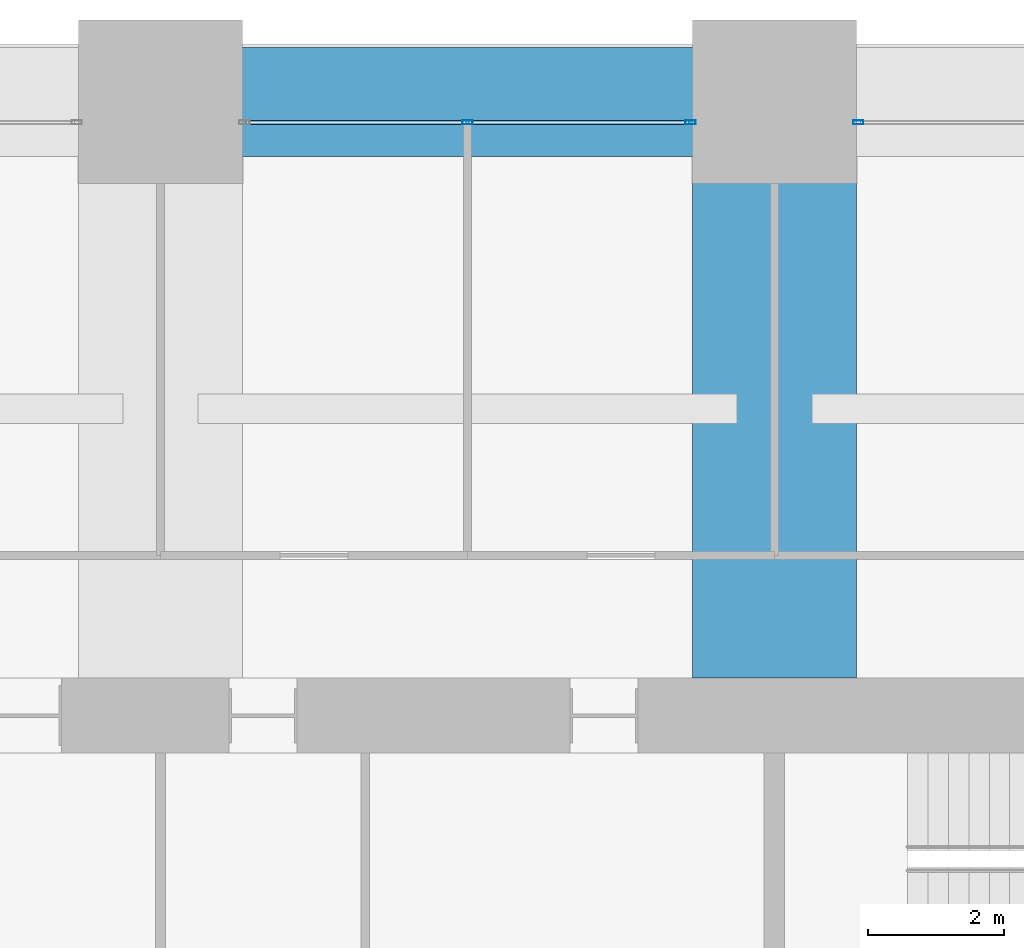
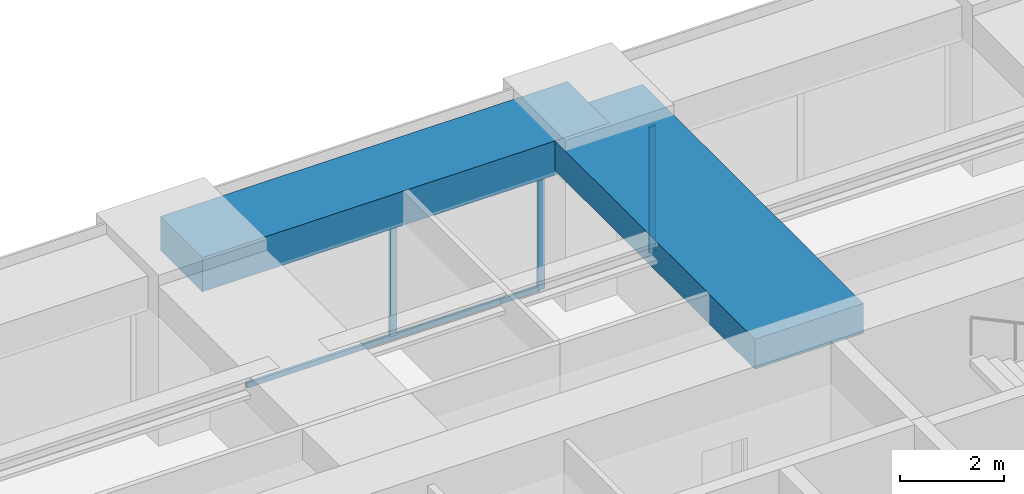
# One storey, part 30 of 43: 4 members, 2 beams, 2 elements without a shape of their own.
"""IFC4 building model written with IfcOpenShell, lengths in metres."""

from ifc_helpers import new_model, si_unit, direction, frame, origin, origin_2d, place, context, subcontext, project, spatial, rectangle, hollow_rectangle, extrude, material, material_profile, profile_set, type_object, element, aggregate, save


model = new_model("IFC4")

# Units and contexts
model_context = context("Model", 3, precision=1e-05, world=origin(), true_north=direction((0.0, 1.0)))
body_context = subcontext(model_context, "Body", "Model", "MODEL_VIEW")
ifc_project = project(units=[si_unit("LENGTHUNIT", "METRE"), si_unit("AREAUNIT", "SQUARE_METRE"), si_unit("VOLUMEUNIT", "CUBIC_METRE"), si_unit("PLANEANGLEUNIT", "RADIAN"), si_unit("MASSUNIT", "GRAM", prefix="KILO")], contexts=[model_context])

# Site, building, storey
site_placement = place(None, origin())
site = spatial("IfcSite", under=ifc_project, at=site_placement, CompositionType="ELEMENT")
building_placement = place(site_placement, origin())
building = spatial("IfcBuilding", under=site, at=building_placement, Name="Zorevar Civic Tower", CompositionType="ELEMENT")
storey_placement = place(building_placement, frame((0.0, 0.0, 145.0)))
storey = spatial("IfcBuildingStorey", under=building, at=storey_placement, Name="L35", CompositionType="ELEMENT", Elevation=145.0)

# Beam
ifc_material_1 = material(Name="Concrete C50/60", Category="concrete")
ifc_material_profile_1 = material_profile(ifc_material_1, rectangle(XDim=2.39990234375, YDim=0.699951171875, at=origin_2d()), Name="RC 2400x700")
ifc_profile_set_1 = profile_set([ifc_material_profile_1], Name="Concrete C50/60")
beam_type_1 = type_object("IfcBeamType", Name="Beam RC 2400x700", PredefinedType="BEAM", material=ifc_profile_set_1)
beam_1_placement = place(storey_placement, frame((36.0, 36.550048828125, 3.39990234375), z_axis=(0.0, 1.0, 0.0), x_axis=(-1.0, 0.0, 0.0)))
element("IfcBeam", 1, at=beam_1_placement, inside=storey, type_object=beam_type_1, Name="Girder L36", PredefinedType="BEAM", context=body_context, shape_type="SweptSolid", body=[
    extrude(rectangle(XDim=2.39990234375, YDim=0.699951171875, at=origin_2d()), origin(), (0.0, 0.0, 1.0), 8.449951171875),
])

# Curtain wall, members
ifc_material_2 = material(Name="Dark grey solar-control glass in black aluminium frame", Category="aluminium")
curtain_wall_type = type_object("IfcCurtainWallType", Name="Curtain wall CW3 mid zone", PredefinedType="NOTDEFINED", material=ifc_material_2)
curtain_wall_1_placement = place(storey_placement, origin())
curtain_wall_1 = element("IfcCurtainWall", 2, at=curtain_wall_1_placement, inside=storey, type_object=curtain_wall_type, Name="CW3 L35", PredefinedType="NOTDEFINED")
ifc_material_3 = material(Name="Aluminium, black anodised", Category="aluminium")
ifc_material_profile_2 = material_profile(ifc_material_3, hollow_rectangle(XDim=0.06005859375, YDim=0.14990234375, WallThickness=0.00390625, at=origin_2d()), Name="AL 150x60x4")
ifc_profile_set_2 = profile_set([ifc_material_profile_2], Name="Aluminium, black anodised")
member_type_1 = type_object("IfcMemberType", Name="CW3 mullion AL 150x60x4", PredefinedType="MULLION", material=ifc_profile_set_2)
member_1_placement = place(storey_placement, frame((31.5, 44.699951171875, 0.06005859375), z_axis=(0.0, 0.0, 1.0), x_axis=(0.0, 1.0, 0.0)))
member_1 = element("IfcMember", 3, at=member_1_placement, type_object=member_type_1, Name="CW3 mullion 2", PredefinedType="MULLION", context=body_context, shape_type="SweptSolid", body=[
    extrude(hollow_rectangle(XDim=0.06005859375, YDim=0.14990234375, WallThickness=0.00390625, at=origin_2d()), origin(), (0.0, 0.0, 1.0), 2.889892578125),
])
member_2_placement = place(storey_placement, frame((34.77001953125, 44.699951171875, 0.0), z_axis=(0.0, 0.0, 1.0), x_axis=(0.0, 1.0, 0.0)))
member_2 = element("IfcMember", 4, at=member_2_placement, type_object=member_type_1, Name="CW3 mullion 3", PredefinedType="MULLION", context=body_context, shape_type="SweptSolid", body=[
    extrude(hollow_rectangle(XDim=0.06005859375, YDim=0.14990234375, WallThickness=0.00390625, at=origin_2d()), origin(), (0.0, 0.0, 1.0), 2.949951171875),
])

# Curtain wall, member
curtain_wall_2_placement = place(storey_placement, origin())
curtain_wall_2 = element("IfcCurtainWall", 5, at=curtain_wall_2_placement, inside=storey, type_object=curtain_wall_type, Name="CW3 L35", PredefinedType="NOTDEFINED")
member_3_placement = place(storey_placement, frame((37.22998046875, 44.699951171875, 0.0), z_axis=(0.0, 0.0, 1.0), x_axis=(0.0, 1.0, 0.0)))
member_3 = element("IfcMember", 6, at=member_3_placement, type_object=member_type_1, Name="CW3 mullion 1", PredefinedType="MULLION", context=body_context, shape_type="SweptSolid", body=[
    extrude(hollow_rectangle(XDim=0.06005859375, YDim=0.14990234375, WallThickness=0.00390625, at=origin_2d()), origin(), (0.0, 0.0, 1.0), 2.949951171875),
])
aggregate(curtain_wall_2, [member_3])

# Member
ifc_material_4 = material(Name="Aluminium, black anodised", Category="aluminium")
ifc_material_profile_3 = material_profile(ifc_material_4, hollow_rectangle(XDim=0.06005859375, YDim=0.1201171875, WallThickness=0.0029296875, at=origin_2d()), Name="AL 120x60x3")
ifc_profile_set_3 = profile_set([ifc_material_profile_3], Name="Aluminium, black anodised")
member_type_2 = type_object("IfcMemberType", Name="CW3 transom AL 120x60x3", PredefinedType="USERDEFINED", material=ifc_profile_set_3)
member_4_placement = place(storey_placement, frame((28.260009765625, 44.699951171875, 0.030029296875), z_axis=(1.0, 0.0, 0.0), x_axis=(0.0, 1.0, 0.0)))
member_4 = element("IfcMember", 7, at=member_4_placement, type_object=member_type_2, Name="CW3 sill transom", ObjectType="TRANSOM", PredefinedType="USERDEFINED", context=body_context, shape_type="SweptSolid", body=[
    extrude(hollow_rectangle(XDim=0.06005859375, YDim=0.1201171875, WallThickness=0.0029296875, at=origin_2d()), origin(), (0.0, 0.0, 1.0), 6.47998046875),
])

aggregate(curtain_wall_1, [member_1, member_2, member_4])

# Beam
ifc_material_5 = material(Name="Concrete C50/60", Category="concrete")
ifc_material_profile_4 = material_profile(ifc_material_5, rectangle(XDim=1.60009765625, YDim=0.800048828125, at=origin_2d()), Name="RC 1600x800")
ifc_profile_set_4 = profile_set([ifc_material_profile_4], Name="Concrete C50/60")
beam_type_2 = type_object("IfcBeamType", Name="Edge beam RC 1600x800", PredefinedType="SPANDREL", material=ifc_profile_set_4)
beam_2_placement = place(storey_placement, frame((27.0, 45.0, 3.35009765625), z_axis=(1.0, 0.0, 0.0), x_axis=(0.0, 1.0, 0.0)))
element("IfcBeam", 8, at=beam_2_placement, inside=storey, type_object=beam_type_2, Name="Edge beam L36", PredefinedType="SPANDREL", context=body_context, shape_type="SweptSolid", body=[
    extrude(rectangle(XDim=1.60009765625, YDim=0.800048828125, at=origin_2d()), origin(), (0.0, 0.0, 1.0), 9.0),
])

save(model, "model.ifc")
